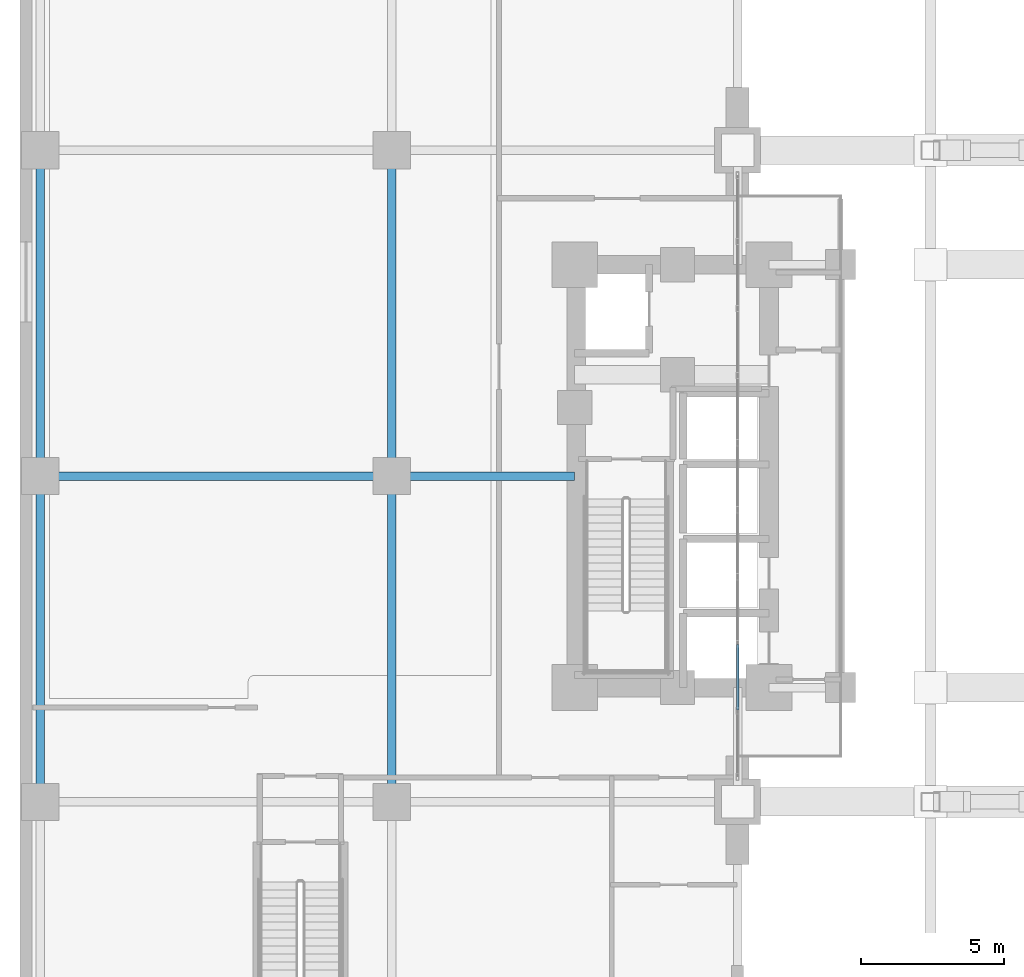
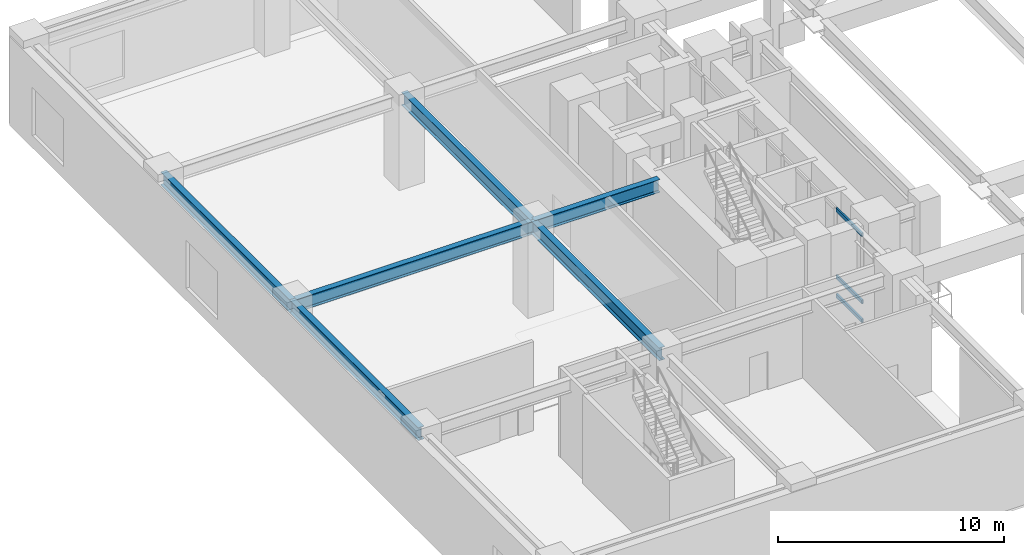
# One storey, part 3 of 26: 6 beams, 3 members, 1 element without a shape of its own.
"""IFC4 building model written with IfcOpenShell, lengths in metres."""

from ifc_helpers import new_model, si_unit, direction, frame, origin, origin_2d, place, context, subcontext, project, spatial, hollow_rectangle, i_section, extrude, material, layer, layer_set, material_profile, profile_set, type_object, element, aggregate, save


model = new_model("IFC4")

# Units and contexts
model_context = context("Model", 3, precision=1e-05, world=origin(), true_north=direction((0.0, 1.0)))
body_context = subcontext(model_context, "Body", "Model", "MODEL_VIEW")
ifc_project = project(units=[si_unit("LENGTHUNIT", "METRE"), si_unit("AREAUNIT", "SQUARE_METRE"), si_unit("VOLUMEUNIT", "CUBIC_METRE"), si_unit("PLANEANGLEUNIT", "RADIAN"), si_unit("MASSUNIT", "GRAM", prefix="KILO")], contexts=[model_context])

# Site, building, storey
site_placement = place(None, origin())
site = spatial("IfcSite", under=ifc_project, at=site_placement, CompositionType="ELEMENT")
building_placement = place(site_placement, origin())
building = spatial("IfcBuilding", under=site, at=building_placement, Name="Voryun Gate Residences", CompositionType="ELEMENT")
storey_placement = place(building_placement, frame((0.0, 0.0, 15.60009765625)))
storey = spatial("IfcBuildingStorey", under=building, at=storey_placement, Name="L03", CompositionType="ELEMENT", Elevation=15.60009765625)

# Beams
ifc_material_1 = material(Name="Steel SM355", Category="steel")
ifc_material_profile_1 = material_profile(ifc_material_1, i_section(OverallWidth=0.300048828125, OverallDepth=0.699951171875, WebThickness=0.012939453125, FlangeThickness=0.02392578125, FilletRadius=0.01806640625, at=origin_2d()), Name="H-700x300x13x24")
ifc_profile_set_1 = profile_set([ifc_material_profile_1], Name="Steel SM355")
beam_type = type_object("IfcBeamType", Name="BM_GIRD_700", PredefinedType="USERDEFINED", material=ifc_profile_set_1)
beam_1_placement = place(storey_placement, frame((-37.89990234375, 0.0, 4.449951171875), z_axis=(1.0, 0.0, 0.0), x_axis=(0.0, 1.0, 0.0)))
element("IfcBeam", 1, at=beam_1_placement, inside=storey, type_object=beam_type, Name="BM-L03-PWX-+0.0-0", ObjectType="GIRDER", PredefinedType="USERDEFINED", context=body_context, shape_type="SweptSolid", body=[
    extrude(i_section(OverallWidth=0.300048828125, OverallDepth=0.699951171875, WebThickness=0.012939453125, FlangeThickness=0.02392578125, FilletRadius=0.01806640625, at=origin_2d()), origin(), (0.0, 0.0, 1.0), 12.2998046875),
])
beam_2_placement = place(storey_placement, frame((-25.60009765625, 0.0, 4.449951171875), z_axis=(1.0, 0.0, 0.0), x_axis=(0.0, 1.0, 0.0)))
element("IfcBeam", 2, at=beam_2_placement, inside=storey, type_object=beam_type, Name="BM-L03-PWX-+0.0-1", ObjectType="GIRDER", PredefinedType="USERDEFINED", context=body_context, shape_type="SweptSolid", body=[
    extrude(i_section(OverallWidth=0.300048828125, OverallDepth=0.699951171875, WebThickness=0.012939453125, FlangeThickness=0.02392578125, FilletRadius=0.01806640625, at=origin_2d()), origin(), (0.0, 0.0, 1.0), 6.400146484375),
])
for number, where, z_axis, x_axis, name in (
    (3, (-37.89990234375, -11.39990234375, 4.449951171875), (0.0, 1.0, 0.0), (-1.0, 0.0, 0.0), "BM-L03-PWY--37.9-1"),
    (4, (-37.89990234375, 0.0, 4.449951171875), (0.0, 1.0, 0.0), (-1.0, 0.0, 0.0), "BM-L03-PWY--37.9-2"),
    (5, (-25.60009765625, -11.39990234375, 4.449951171875), (0.0, 1.0, 0.0), (-1.0, 0.0, 0.0), "BM-L03-PWY--25.6-1"),
    (6, (-25.60009765625, 0.0, 4.449951171875), (0.0, 1.0, 0.0), (-1.0, 0.0, 0.0), "BM-L03-PWY--25.6-2"),
):
    element("IfcBeam", number, at=place(storey_placement, frame(where, z_axis=z_axis, x_axis=x_axis)), inside=storey, type_object=beam_type, Name=name, ObjectType="GIRDER", PredefinedType="USERDEFINED", context=body_context, shape_type="SweptSolid", body=[
        extrude(i_section(OverallWidth=0.300048828125, OverallDepth=0.699951171875, WebThickness=0.012939453125, FlangeThickness=0.02392578125, FilletRadius=0.01806640625, at=origin_2d()), origin(), (0.0, 0.0, 1.0), 11.39990234375),
    ])

# Curtain wall, members
ifc_material_2 = material(Name="Anodised aluminium", Category="aluminium")
ifc_layer = layer(ifc_material_2, 0.239990234375, Name="CW_SYS_ARCH_DARK_GLASS")
ifc_layer_set = layer_set([ifc_layer], Name="Anodised aluminium")
curtain_wall_type = type_object("IfcCurtainWallType", Name="CW_SYS_ARCH_DARK_GLASS", PredefinedType="NOTDEFINED", material=ifc_layer_set)
curtain_wall_placement = place(storey_placement, origin())
curtain_wall = element("IfcCurtainWall", 7, at=curtain_wall_placement, inside=storey, type_object=curtain_wall_type, Name="Curtain wall CW2-L03-WP-M", PredefinedType="NOTDEFINED")
ifc_material_3 = material(Name="Anodised aluminium", Category="aluminium")
ifc_material_profile_2 = material_profile(ifc_material_3, hollow_rectangle(XDim=0.090087890625, YDim=0.199951171875, WallThickness=0.006103515625, at=origin_2d()), Name="ALU-TRAN-200x90x6")
ifc_profile_set_2 = profile_set([ifc_material_profile_2], Name="Anodised aluminium")
member_type = type_object("IfcMemberType", Name="CW_TRAN_ARCH", PredefinedType="USERDEFINED", material=ifc_profile_set_2)
member_1_placement = place(storey_placement, frame((-13.5, -8.179443359375, 0.02978515625), z_axis=(0.0, 1.0, 0.0), x_axis=(-1.0, 0.0, 0.0)))
member_1 = element("IfcMember", 8, at=member_1_placement, type_object=member_type, Name="CW2 transom 2.1", ObjectType="TRANSOM", PredefinedType="USERDEFINED", context=body_context, shape_type="SweptSolid", body=[
    extrude(hollow_rectangle(XDim=0.090087890625, YDim=0.199951171875, WallThickness=0.006103515625, at=origin_2d()), origin(), (0.0, 0.0, 1.0), 2.28564453125),
])
member_2_placement = place(storey_placement, frame((-13.5, -8.179443359375, 1.0498046875), z_axis=(0.0, 1.0, 0.0), x_axis=(-1.0, 0.0, 0.0)))
member_2 = element("IfcMember", 9, at=member_2_placement, type_object=member_type, Name="CW2 transom 2.2", ObjectType="TRANSOM", PredefinedType="USERDEFINED", context=body_context, shape_type="SweptSolid", body=[
    extrude(hollow_rectangle(XDim=0.090087890625, YDim=0.199951171875, WallThickness=0.006103515625, at=origin_2d()), origin(), (0.0, 0.0, 1.0), 2.28564453125),
])
member_3_placement = place(storey_placement, frame((-13.5, -8.179443359375, 4.669921875), z_axis=(0.0, 1.0, 0.0), x_axis=(-1.0, 0.0, 0.0)))
member_3 = element("IfcMember", 10, at=member_3_placement, type_object=member_type, Name="CW2 transom 2.3", ObjectType="TRANSOM", PredefinedType="USERDEFINED", context=body_context, shape_type="SweptSolid", body=[
    extrude(hollow_rectangle(XDim=0.090087890625, YDim=0.199951171875, WallThickness=0.006103515625, at=origin_2d()), origin(), (0.0, 0.0, 1.0), 2.28564453125),
])
aggregate(curtain_wall, [member_1, member_2, member_3])

save(model, "model.ifc")
